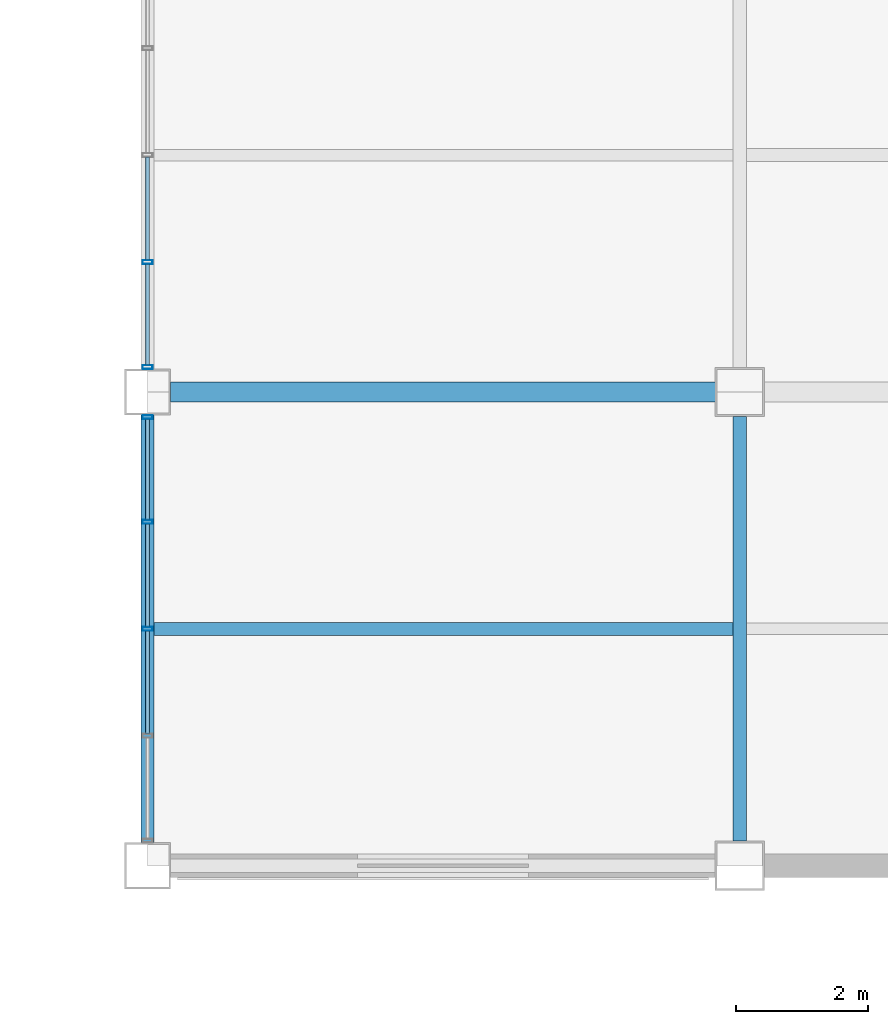
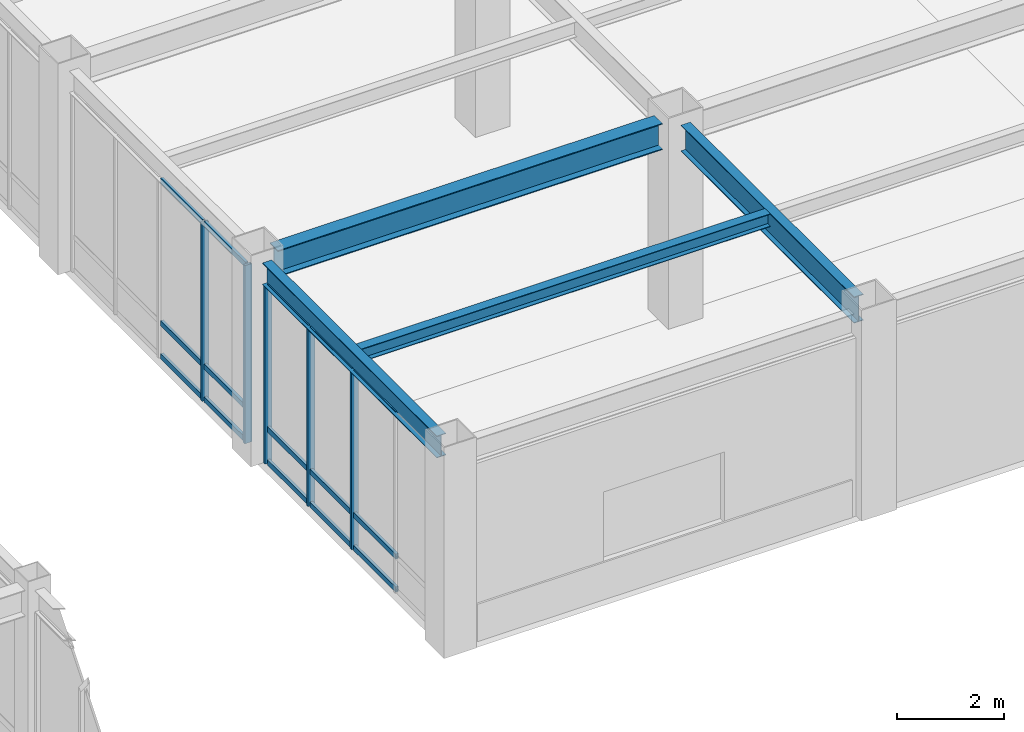
# One storey, part 45 of 112: 20 members, 4 beams, 2 elements without a shape of their own.
"""IFC4 building model written with IfcOpenShell, lengths in metres."""

from ifc_helpers import new_model, si_unit, direction, frame, origin, origin_2d, place, context, subcontext, project, spatial, hollow_rectangle, i_section, extrude, material, material_profile, profile_set, type_object, element, aggregate, save


model = new_model("IFC4")

# Units and contexts
model_context = context("Model", 3, precision=1e-05, world=origin(), true_north=direction((0.0, 1.0)))
body_context = subcontext(model_context, "Body", "Model", "MODEL_VIEW")
ifc_project = project(units=[si_unit("LENGTHUNIT", "METRE"), si_unit("AREAUNIT", "SQUARE_METRE"), si_unit("VOLUMEUNIT", "CUBIC_METRE"), si_unit("PLANEANGLEUNIT", "RADIAN"), si_unit("MASSUNIT", "GRAM", prefix="KILO")], contexts=[model_context])

# Site, building, storey
site_placement = place(None, origin())
site = spatial("IfcSite", under=ifc_project, at=site_placement, CompositionType="ELEMENT")
building_placement = place(site_placement, origin())
building = spatial("IfcBuilding", under=site, at=building_placement, Name="Kazanami Central Library", CompositionType="ELEMENT")
storey_placement = place(building_placement, origin())
storey = spatial("IfcBuildingStorey", under=building, at=storey_placement, Name="L01", CompositionType="ELEMENT", Elevation=0.0)

# Beams
ifc_material_1 = material(Name="Steel SN400B (235 MPa)", Category="steel")
ifc_material_profile_1 = material_profile(ifc_material_1, i_section(OverallWidth=0.199951171875, OverallDepth=0.2939453125, WebThickness=0.008056640625, FlangeThickness=0.011962890625, at=origin_2d()), Name="H-294x200x8x12")
ifc_profile_set_1 = profile_set([ifc_material_profile_1], Name="Steel SN400B (235 MPa)")
beam_type_1 = type_object("IfcBeamType", Name="BM-B-S5", PredefinedType="JOIST", material=ifc_profile_set_1)
beam_1_placement = place(storey_placement, frame((117.097900390625, 46.800048828125, 4.407958984375), z_axis=(1.0, 0.0, 0.0), x_axis=(0.0, 1.0, 0.0)))
element("IfcBeam", 1, at=beam_1_placement, inside=storey, type_object=beam_type_1, Name="Composite Secondary Joist B-S5 L01 Bay 14/G.1", PredefinedType="JOIST", context=body_context, shape_type="SweptSolid", body=[
    extrude(i_section(OverallWidth=0.199951171875, OverallDepth=0.2939453125, WebThickness=0.008056640625, FlangeThickness=0.011962890625, at=origin_2d()), origin(), (0.0, 0.0, 1.0), 8.80419921875),
])
ifc_material_2 = material(Name="Steel SN490B (325 MPa)", Category="steel")
ifc_material_profile_2 = material_profile(ifc_material_2, i_section(OverallWidth=0.300048828125, OverallDepth=0.60009765625, WebThickness=0.011962890625, FlangeThickness=0.02001953125, at=origin_2d()), Name="H-600x300x12x20")
ifc_profile_set_2 = profile_set([ifc_material_profile_2], Name="Steel SN490B (325 MPa)")
beam_type_2 = type_object("IfcBeamType", Name="BM-G-X1", PredefinedType="BEAM", material=ifc_profile_set_2)
beam_2_placement = place(storey_placement, frame((117.347900390625, 50.39990234375, 4.2548828125), z_axis=(1.0, 0.0, 0.0), x_axis=(0.0, 1.0, 0.0)))
element("IfcBeam", 2, at=beam_2_placement, inside=storey, type_object=beam_type_2, Name="Girder G-X1 L01 H/14-15", PredefinedType="BEAM", context=body_context, shape_type="SweptSolid", body=[
    extrude(i_section(OverallWidth=0.300048828125, OverallDepth=0.60009765625, WebThickness=0.011962890625, FlangeThickness=0.02001953125, at=origin_2d()), origin(), (0.0, 0.0, 1.0), 8.279052734375),
])
ifc_material_profile_3 = material_profile(ifc_material_2, i_section(OverallWidth=0.199951171875, OverallDepth=0.60009765625, WebThickness=0.010986328125, FlangeThickness=0.01708984375, at=origin_2d()), Name="H-600x200x11x17")
ifc_profile_set_3 = profile_set([ifc_material_profile_3], Name="Steel SN490B (325 MPa)")
beam_type_3 = type_object("IfcBeamType", Name="BM-G-Y1", PredefinedType="BEAM", material=ifc_profile_set_3)
beam_3_placement = place(storey_placement, frame((126.0, 43.572998046875, 4.2548828125), z_axis=(0.0, 1.0, 0.0), x_axis=(-1.0, 0.0, 0.0)))
element("IfcBeam", 3, at=beam_3_placement, inside=storey, type_object=beam_type_3, Name="Girder G-Y1 L01 15/G-H", PredefinedType="BEAM", context=body_context, shape_type="SweptSolid", body=[
    extrude(i_section(OverallWidth=0.199951171875, OverallDepth=0.60009765625, WebThickness=0.010986328125, FlangeThickness=0.01708984375, at=origin_2d()), origin(), (0.0, 0.0, 1.0), 6.4541015625),
])
ifc_material_profile_4 = material_profile(ifc_material_2, i_section(OverallWidth=0.199951171875, OverallDepth=0.5, WebThickness=0.010009765625, FlangeThickness=0.01611328125, at=origin_2d()), Name="H-500x200x10x16")
ifc_profile_set_4 = profile_set([ifc_material_profile_4], Name="Steel SN490B (325 MPa)")
beam_type_4 = type_object("IfcBeamType", Name="BM-SP-1", PredefinedType="SPANDREL", material=ifc_profile_set_4)
beam_4_placement = place(storey_placement, frame((117.0, 43.548095703125, 4.304931640625), z_axis=(0.0, 1.0, 0.0), x_axis=(-1.0, 0.0, 0.0)))
element("IfcBeam", 4, at=beam_4_placement, inside=storey, type_object=beam_type_4, Name="Girder SP-1 L01 14/G-H", PredefinedType="SPANDREL", context=body_context, shape_type="SweptSolid", body=[
    extrude(i_section(OverallWidth=0.199951171875, OverallDepth=0.5, WebThickness=0.010009765625, FlangeThickness=0.01611328125, at=origin_2d()), origin(), (0.0, 0.0, 1.0), 6.50390625),
])

# Curtain wall, members
ifc_material_3 = material(Name="Acid-Etched Low-E Laminated Glass", Category="glass")
curtain_wall_type = type_object("IfcCurtainWallType", Name="CW-6500x4055-M180", PredefinedType="USERDEFINED", material=ifc_material_3)
curtain_wall_1_placement = place(storey_placement, origin())
curtain_wall_1 = element("IfcCurtainWall", 5, at=curtain_wall_1_placement, inside=storey, type_object=curtain_wall_type, Name="Covered Link Bridge Curtain Wall CW-11 L01 W-14-06", ObjectType="UNITISED CURTAIN WALL", PredefinedType="USERDEFINED")
ifc_material_4 = material(Name="Anodised Aluminium A6063-T5", Category="aluminium")
ifc_material_profile_5 = material_profile(ifc_material_4, hollow_rectangle(XDim=0.06005859375, YDim=0.14990234375, WallThickness=0.00390625, at=origin_2d()), Name="ALU-MULL-60x150x4")
ifc_profile_set_5 = profile_set([ifc_material_profile_5], Name="Anodised Aluminium A6063-T5")
member_type_1 = type_object("IfcMemberType", Name="MEM-CW-M3", PredefinedType="MULLION", material=ifc_profile_set_5)
member_1_placement = place(storey_placement, frame((117.0, 46.800048828125, 0.0), z_axis=(0.0, 0.0, 1.0), x_axis=(0.0, 1.0, 0.0)))
member_1 = element("IfcMember", 6, at=member_1_placement, type_object=member_type_1, Name="CW-11 mullion 3", PredefinedType="MULLION", context=body_context, shape_type="SweptSolid", body=[
    extrude(hollow_rectangle(XDim=0.06005859375, YDim=0.14990234375, WallThickness=0.00390625, at=origin_2d()), origin(), (0.0, 0.0, 1.0), 4.054931640625),
])
member_2_placement = place(storey_placement, frame((117.0, 48.425048828125, 0.0), z_axis=(0.0, 0.0, 1.0), x_axis=(0.0, 1.0, 0.0)))
member_2 = element("IfcMember", 7, at=member_2_placement, type_object=member_type_1, Name="CW-11 mullion 4", PredefinedType="MULLION", context=body_context, shape_type="SweptSolid", body=[
    extrude(hollow_rectangle(XDim=0.06005859375, YDim=0.14990234375, WallThickness=0.00390625, at=origin_2d()), origin(), (0.0, 0.0, 1.0), 4.054931640625),
])
member_3_placement = place(storey_placement, frame((117.0, 50.02001953125, 0.0), z_axis=(0.0, 0.0, 1.0), x_axis=(0.0, 1.0, 0.0)))
member_3 = element("IfcMember", 8, at=member_3_placement, type_object=member_type_1, Name="CW-11 mullion 5", PredefinedType="MULLION", context=body_context, shape_type="SweptSolid", body=[
    extrude(hollow_rectangle(XDim=0.06005859375, YDim=0.14990234375, WallThickness=0.00390625, at=origin_2d()), origin(), (0.0, 0.0, 1.0), 4.054931640625),
])

curtain_wall_2_placement = place(storey_placement, origin())
curtain_wall_2 = element("IfcCurtainWall", 9, at=curtain_wall_2_placement, inside=storey, type_object=curtain_wall_type, Name="Covered Link Bridge Curtain Wall CW-11 L01 W-14-07", ObjectType="UNITISED CURTAIN WALL", PredefinedType="USERDEFINED")
member_4_placement = place(storey_placement, frame((117.0, 50.780029296875, 0.0), z_axis=(0.0, 0.0, 1.0), x_axis=(0.0, 1.0, 0.0)))
member_4 = element("IfcMember", 10, at=member_4_placement, type_object=member_type_1, Name="CW-11 mullion 1", PredefinedType="MULLION", context=body_context, shape_type="SweptSolid", body=[
    extrude(hollow_rectangle(XDim=0.06005859375, YDim=0.14990234375, WallThickness=0.00390625, at=origin_2d()), origin(), (0.0, 0.0, 1.0), 4.054931640625),
])
member_5_placement = place(storey_placement, frame((117.0, 52.375, 0.0), z_axis=(0.0, 0.0, 1.0), x_axis=(0.0, 1.0, 0.0)))
member_5 = element("IfcMember", 11, at=member_5_placement, type_object=member_type_1, Name="CW-11 mullion 2", PredefinedType="MULLION", context=body_context, shape_type="SweptSolid", body=[
    extrude(hollow_rectangle(XDim=0.06005859375, YDim=0.14990234375, WallThickness=0.00390625, at=origin_2d()), origin(), (0.0, 0.0, 1.0), 4.054931640625),
])

# Member
ifc_material_profile_6 = material_profile(ifc_material_4, hollow_rectangle(XDim=0.06005859375, YDim=0.1201171875, WallThickness=0.00341796875, at=origin_2d()), Name="ALU-TRAN-60x120x3.5")
ifc_profile_set_6 = profile_set([ifc_material_profile_6], Name="Anodised Aluminium A6063-T5")
member_type_2 = type_object("IfcMemberType", Name="MEM-CW-T3", PredefinedType="USERDEFINED", material=ifc_profile_set_6)
member_6_placement = place(storey_placement, frame((117.0, 45.205078125, 0.030029296875), z_axis=(0.0, 1.0, 0.0), x_axis=(-1.0, 0.0, 0.0)))
member_6 = element("IfcMember", 12, at=member_6_placement, type_object=member_type_2, Name="CW-11 transom 2.1", ObjectType="TRANSOM", PredefinedType="USERDEFINED", context=body_context, shape_type="SweptSolid", body=[
    extrude(hollow_rectangle(XDim=0.06005859375, YDim=0.1201171875, WallThickness=0.00341796875, at=origin_2d()), origin(), (0.0, 0.0, 1.0), 1.56494140625),
])

member_7_placement = place(storey_placement, frame((117.0, 45.205078125, 0.780029296875), z_axis=(0.0, 1.0, 0.0), x_axis=(-1.0, 0.0, 0.0)))
member_7 = element("IfcMember", 13, at=member_7_placement, type_object=member_type_2, Name="CW-11 transom 2.2", ObjectType="TRANSOM", PredefinedType="USERDEFINED", context=body_context, shape_type="SweptSolid", body=[
    extrude(hollow_rectangle(XDim=0.06005859375, YDim=0.1201171875, WallThickness=0.00341796875, at=origin_2d()), origin(), (0.0, 0.0, 1.0), 1.56494140625),
])

member_8_placement = place(storey_placement, frame((117.0, 45.205078125, 4.02490234375), z_axis=(0.0, 1.0, 0.0), x_axis=(-1.0, 0.0, 0.0)))
member_8 = element("IfcMember", 14, at=member_8_placement, type_object=member_type_2, Name="CW-11 transom 2.3", ObjectType="TRANSOM", PredefinedType="USERDEFINED", context=body_context, shape_type="SweptSolid", body=[
    extrude(hollow_rectangle(XDim=0.06005859375, YDim=0.1201171875, WallThickness=0.00341796875, at=origin_2d()), origin(), (0.0, 0.0, 1.0), 1.56494140625),
])

member_9_placement = place(storey_placement, frame((117.0, 46.830078125, 0.030029296875), z_axis=(0.0, 1.0, 0.0), x_axis=(-1.0, 0.0, 0.0)))
member_9 = element("IfcMember", 15, at=member_9_placement, type_object=member_type_2, Name="CW-11 transom 3.1", ObjectType="TRANSOM", PredefinedType="USERDEFINED", context=body_context, shape_type="SweptSolid", body=[
    extrude(hollow_rectangle(XDim=0.06005859375, YDim=0.1201171875, WallThickness=0.00341796875, at=origin_2d()), origin(), (0.0, 0.0, 1.0), 1.56494140625),
])

member_10_placement = place(storey_placement, frame((117.0, 46.830078125, 0.780029296875), z_axis=(0.0, 1.0, 0.0), x_axis=(-1.0, 0.0, 0.0)))
member_10 = element("IfcMember", 16, at=member_10_placement, type_object=member_type_2, Name="CW-11 transom 3.2", ObjectType="TRANSOM", PredefinedType="USERDEFINED", context=body_context, shape_type="SweptSolid", body=[
    extrude(hollow_rectangle(XDim=0.06005859375, YDim=0.1201171875, WallThickness=0.00341796875, at=origin_2d()), origin(), (0.0, 0.0, 1.0), 1.56494140625),
])

member_11_placement = place(storey_placement, frame((117.0, 46.830078125, 4.02490234375), z_axis=(0.0, 1.0, 0.0), x_axis=(-1.0, 0.0, 0.0)))
member_11 = element("IfcMember", 17, at=member_11_placement, type_object=member_type_2, Name="CW-11 transom 3.3", ObjectType="TRANSOM", PredefinedType="USERDEFINED", context=body_context, shape_type="SweptSolid", body=[
    extrude(hollow_rectangle(XDim=0.06005859375, YDim=0.1201171875, WallThickness=0.00341796875, at=origin_2d()), origin(), (0.0, 0.0, 1.0), 1.56494140625),
])

member_12_placement = place(storey_placement, frame((117.0, 48.455078125, 0.030029296875), z_axis=(0.0, 1.0, 0.0), x_axis=(-1.0, 0.0, 0.0)))
member_12 = element("IfcMember", 18, at=member_12_placement, type_object=member_type_2, Name="CW-11 transom 4.1", ObjectType="TRANSOM", PredefinedType="USERDEFINED", context=body_context, shape_type="SweptSolid", body=[
    extrude(hollow_rectangle(XDim=0.06005859375, YDim=0.1201171875, WallThickness=0.00341796875, at=origin_2d()), origin(), (0.0, 0.0, 1.0), 1.534912109375),
])

member_13_placement = place(storey_placement, frame((117.0, 48.455078125, 0.780029296875), z_axis=(0.0, 1.0, 0.0), x_axis=(-1.0, 0.0, 0.0)))
member_13 = element("IfcMember", 19, at=member_13_placement, type_object=member_type_2, Name="CW-11 transom 4.2", ObjectType="TRANSOM", PredefinedType="USERDEFINED", context=body_context, shape_type="SweptSolid", body=[
    extrude(hollow_rectangle(XDim=0.06005859375, YDim=0.1201171875, WallThickness=0.00341796875, at=origin_2d()), origin(), (0.0, 0.0, 1.0), 1.534912109375),
])

member_14_placement = place(storey_placement, frame((117.0, 48.455078125, 4.02490234375), z_axis=(0.0, 1.0, 0.0), x_axis=(-1.0, 0.0, 0.0)))
member_14 = element("IfcMember", 20, at=member_14_placement, type_object=member_type_2, Name="CW-11 transom 4.3", ObjectType="TRANSOM", PredefinedType="USERDEFINED", context=body_context, shape_type="SweptSolid", body=[
    extrude(hollow_rectangle(XDim=0.06005859375, YDim=0.1201171875, WallThickness=0.00341796875, at=origin_2d()), origin(), (0.0, 0.0, 1.0), 1.534912109375),
])

aggregate(curtain_wall_1, [member_1, member_2, member_3, member_6, member_7, member_8, member_9, member_10, member_11, member_12, member_13, member_14])

member_15_placement = place(storey_placement, frame((117.0, 50.81005859375, 0.030029296875), z_axis=(0.0, 1.0, 0.0), x_axis=(-1.0, 0.0, 0.0)))
member_15 = element("IfcMember", 21, at=member_15_placement, type_object=member_type_2, Name="CW-11 transom 1.1", ObjectType="TRANSOM", PredefinedType="USERDEFINED", context=body_context, shape_type="SweptSolid", body=[
    extrude(hollow_rectangle(XDim=0.06005859375, YDim=0.1201171875, WallThickness=0.00341796875, at=origin_2d()), origin(), (0.0, 0.0, 1.0), 1.534912109375),
])

member_16_placement = place(storey_placement, frame((117.0, 50.81005859375, 0.780029296875), z_axis=(0.0, 1.0, 0.0), x_axis=(-1.0, 0.0, 0.0)))
member_16 = element("IfcMember", 22, at=member_16_placement, type_object=member_type_2, Name="CW-11 transom 1.2", ObjectType="TRANSOM", PredefinedType="USERDEFINED", context=body_context, shape_type="SweptSolid", body=[
    extrude(hollow_rectangle(XDim=0.06005859375, YDim=0.1201171875, WallThickness=0.00341796875, at=origin_2d()), origin(), (0.0, 0.0, 1.0), 1.534912109375),
])

member_17_placement = place(storey_placement, frame((117.0, 50.81005859375, 4.02490234375), z_axis=(0.0, 1.0, 0.0), x_axis=(-1.0, 0.0, 0.0)))
member_17 = element("IfcMember", 23, at=member_17_placement, type_object=member_type_2, Name="CW-11 transom 1.3", ObjectType="TRANSOM", PredefinedType="USERDEFINED", context=body_context, shape_type="SweptSolid", body=[
    extrude(hollow_rectangle(XDim=0.06005859375, YDim=0.1201171875, WallThickness=0.00341796875, at=origin_2d()), origin(), (0.0, 0.0, 1.0), 1.534912109375),
])

member_18_placement = place(storey_placement, frame((117.0, 52.405029296875, 0.030029296875), z_axis=(0.0, 1.0, 0.0), x_axis=(-1.0, 0.0, 0.0)))
member_18 = element("IfcMember", 24, at=member_18_placement, type_object=member_type_2, Name="CW-11 transom 2.1", ObjectType="TRANSOM", PredefinedType="USERDEFINED", context=body_context, shape_type="SweptSolid", body=[
    extrude(hollow_rectangle(XDim=0.06005859375, YDim=0.1201171875, WallThickness=0.00341796875, at=origin_2d()), origin(), (0.0, 0.0, 1.0), 1.56494140625),
])

member_19_placement = place(storey_placement, frame((117.0, 52.405029296875, 0.780029296875), z_axis=(0.0, 1.0, 0.0), x_axis=(-1.0, 0.0, 0.0)))
member_19 = element("IfcMember", 25, at=member_19_placement, type_object=member_type_2, Name="CW-11 transom 2.2", ObjectType="TRANSOM", PredefinedType="USERDEFINED", context=body_context, shape_type="SweptSolid", body=[
    extrude(hollow_rectangle(XDim=0.06005859375, YDim=0.1201171875, WallThickness=0.00341796875, at=origin_2d()), origin(), (0.0, 0.0, 1.0), 1.56494140625),
])

member_20_placement = place(storey_placement, frame((117.0, 52.405029296875, 4.02490234375), z_axis=(0.0, 1.0, 0.0), x_axis=(-1.0, 0.0, 0.0)))
member_20 = element("IfcMember", 26, at=member_20_placement, type_object=member_type_2, Name="CW-11 transom 2.3", ObjectType="TRANSOM", PredefinedType="USERDEFINED", context=body_context, shape_type="SweptSolid", body=[
    extrude(hollow_rectangle(XDim=0.06005859375, YDim=0.1201171875, WallThickness=0.00341796875, at=origin_2d()), origin(), (0.0, 0.0, 1.0), 1.56494140625),
])

aggregate(curtain_wall_2, [member_4, member_5, member_15, member_16, member_17, member_18, member_19, member_20])

save(model, "model.ifc")
